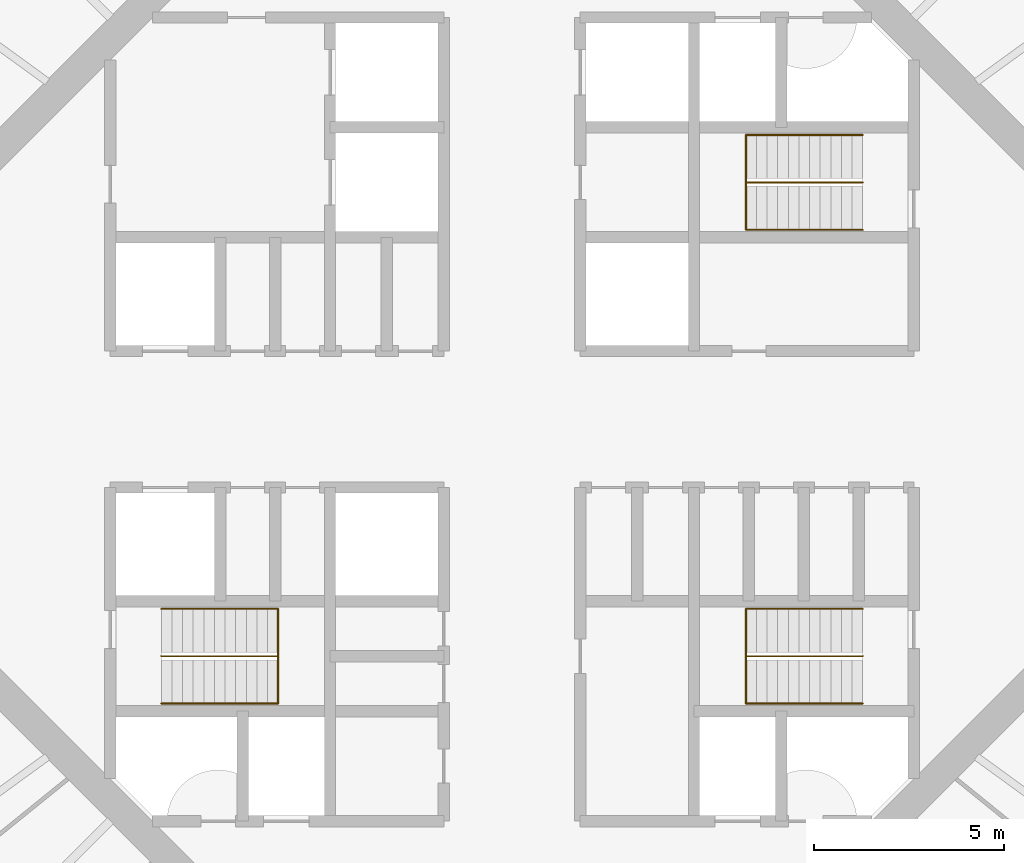
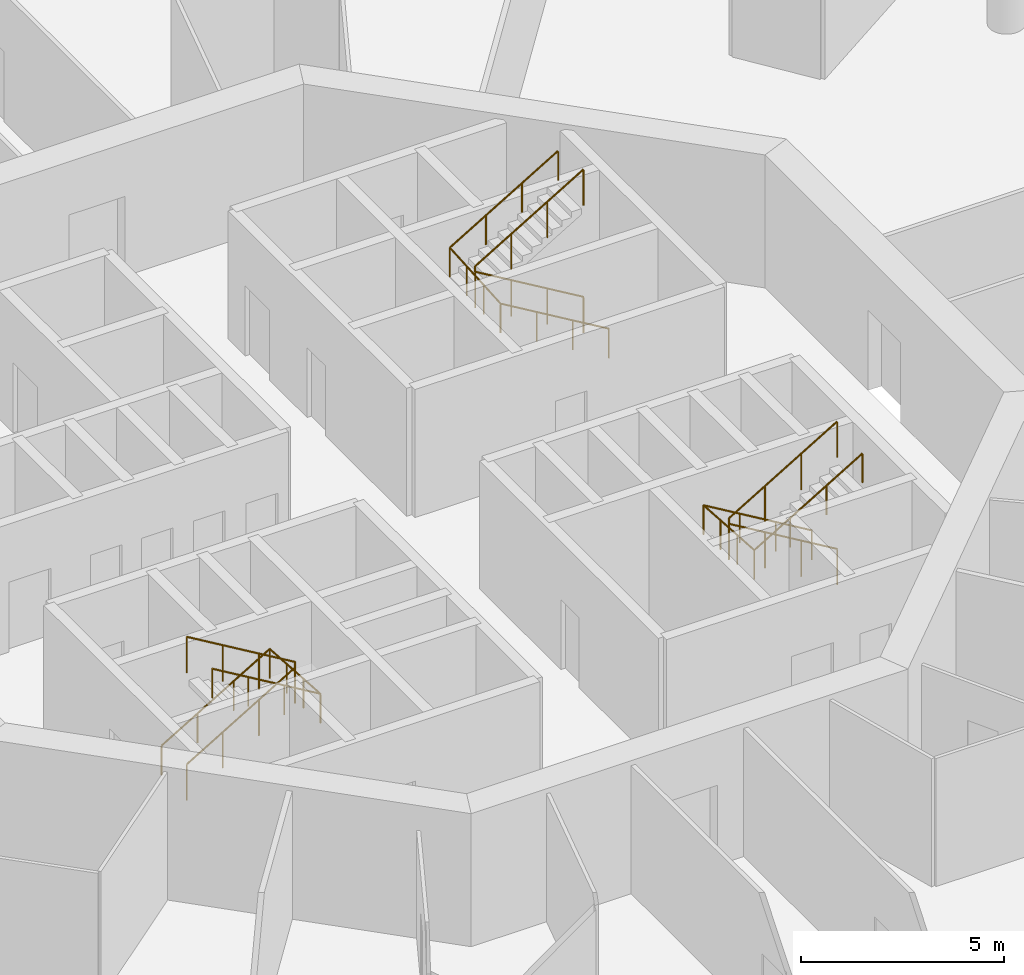
# One storey, part 13 of 13: 6 railings.
"""IFC4 building model written with IfcOpenShell, lengths in metres."""

from ifc_helpers import new_model, si_unit, direction, frame, origin, origin_2d, place, context, subcontext, project, spatial, circle, extrude, material, type_object, element, save


model = new_model("IFC4")

# Units and contexts
model_context = context("Model", 3, precision=1e-05, world=origin(), true_north=direction((0.0, 1.0)))
body_context = subcontext(model_context, "Body", "Model", "MODEL_VIEW")
ifc_project = project(units=[si_unit("LENGTHUNIT", "METRE"), si_unit("AREAUNIT", "SQUARE_METRE"), si_unit("VOLUMEUNIT", "CUBIC_METRE"), si_unit("PLANEANGLEUNIT", "RADIAN"), si_unit("MASSUNIT", "GRAM", prefix="KILO")], contexts=[model_context])

# Site, building, storey
site_placement = place(None, origin())
site = spatial("IfcSite", under=ifc_project, at=site_placement, CompositionType="ELEMENT")
building_placement = place(site_placement, origin())
building = spatial("IfcBuilding", under=site, at=building_placement, Name="Entoto Ring Tower", CompositionType="ELEMENT")
storey_placement = place(building_placement, frame((0.0, 0.0, 290.0)))
storey = spatial("IfcBuildingStorey", under=building, at=storey_placement, Name="L66", CompositionType="ELEMENT", Elevation=290.0)

# Railings
ifc_material_1 = material(Name="Steel S275", Category="steel")
railing_type_1 = type_object("IfcRailingType", Name="Stair guard 1100 mm steel", PredefinedType="GUARDRAIL", material=ifc_material_1)
railing_1_placement = place(storey_placement, frame((99.25, 86.25, 0.166748046875)))
element("IfcRailing", 1, at=railing_1_placement, inside=storey, type_object=railing_type_1, Name="Guard ST1", PredefinedType="GUARDRAIL", context=body_context, shape_type="SweptSolid", body=[
    extrude(circle(Radius=0.02392578125, at=origin_2d()), frame((0.0, 0.0, 1.076171875), z_axis=(-0.859308565015, 0.0, 0.511457515432), x_axis=(0.0, -1.0, 0.0)), (0.0, 0.0, 1.0), 3.58447265625),
    extrude(circle(Radius=0.02392578125, at=origin_2d()), frame((-3.080078125, 0.0, 2.9091796875), z_axis=(0.0, 0.0, 1.0), x_axis=(1.0, 0.0, 0.0)), (0.0, 0.0, 1.0), 0.166748046875),
    extrude(circle(Radius=0.02392578125, at=origin_2d()), frame((-3.080078125, 0.0, 3.076171875), z_axis=(0.859308565015, 0.0, 0.511457515432), x_axis=(0.0, 1.0, 0.0)), (0.0, 0.0, 1.0), 3.58447265625),
    extrude(circle(Radius=0.02099609375, at=origin_2d()), origin(), (0.0, 0.0, 1.0), 1.052001953125),
    extrude(circle(Radius=0.02099609375, at=origin_2d()), frame((-1.026611328125, 0.0, 0.611083984375)), (0.0, 0.0, 1.0), 1.052001953125),
    extrude(circle(Radius=0.02099609375, at=origin_2d()), frame((-2.053466796875, 0.0, 1.22216796875)), (0.0, 0.0, 1.0), 1.052001953125),
    extrude(circle(Radius=0.02099609375, at=origin_2d()), frame((-3.080078125, 0.0, 1.833251953125)), (0.0, 0.0, 1.0), 1.052001953125),
    extrude(circle(Radius=0.02099609375, at=origin_2d()), frame((-3.080078125, 0.0, 2.0)), (0.0, 0.0, 1.0), 1.052001953125),
    extrude(circle(Radius=0.02099609375, at=origin_2d()), frame((-2.053466796875, 0.0, 2.611083984375)), (0.0, 0.0, 1.0), 1.052001953125),
    extrude(circle(Radius=0.02099609375, at=origin_2d()), frame((-1.026611328125, 0.0, 3.22216796875)), (0.0, 0.0, 1.0), 1.052001953125),
    extrude(circle(Radius=0.02099609375, at=origin_2d()), frame((0.0, 0.0, 3.833251953125)), (0.0, 0.0, 1.0), 1.052001953125),
])
railing_2_placement = place(storey_placement, frame((80.75, 73.75, 0.166748046875)))
element("IfcRailing", 2, at=railing_2_placement, inside=storey, type_object=railing_type_1, Name="Guard ST2", PredefinedType="GUARDRAIL", context=body_context, shape_type="SweptSolid", body=[
    extrude(circle(Radius=0.02392578125, at=origin_2d()), frame((0.0, 0.0, 1.076171875), z_axis=(0.859308565015, 0.0, 0.511457515432), x_axis=(0.0, 1.0, 0.0)), (0.0, 0.0, 1.0), 3.58447265625),
    extrude(circle(Radius=0.02392578125, at=origin_2d()), frame((3.080078125, 0.0, 2.9091796875), z_axis=(0.0, 0.0, 1.0), x_axis=(1.0, 0.0, 0.0)), (0.0, 0.0, 1.0), 0.166748046875),
    extrude(circle(Radius=0.02392578125, at=origin_2d()), frame((3.080078125, 0.0, 3.076171875), z_axis=(-0.859308565015, 0.0, 0.511457515432), x_axis=(0.0, -1.0, 0.0)), (0.0, 0.0, 1.0), 3.58447265625),
    extrude(circle(Radius=0.02099609375, at=origin_2d()), origin(), (0.0, 0.0, 1.0), 1.052001953125),
    extrude(circle(Radius=0.02099609375, at=origin_2d()), frame((1.026611328125, 0.0, 0.611083984375)), (0.0, 0.0, 1.0), 1.052001953125),
    extrude(circle(Radius=0.02099609375, at=origin_2d()), frame((2.053466796875, 0.0, 1.22216796875)), (0.0, 0.0, 1.0), 1.052001953125),
    extrude(circle(Radius=0.02099609375, at=origin_2d()), frame((3.080078125, 0.0, 1.833251953125)), (0.0, 0.0, 1.0), 1.052001953125),
    extrude(circle(Radius=0.02099609375, at=origin_2d()), frame((3.080078125, 0.0, 2.0)), (0.0, 0.0, 1.0), 1.052001953125),
    extrude(circle(Radius=0.02099609375, at=origin_2d()), frame((2.053466796875, 0.0, 2.611083984375)), (0.0, 0.0, 1.0), 1.052001953125),
    extrude(circle(Radius=0.02099609375, at=origin_2d()), frame((1.026611328125, 0.0, 3.22216796875)), (0.0, 0.0, 1.0), 1.052001953125),
    extrude(circle(Radius=0.02099609375, at=origin_2d()), frame((0.0, 0.0, 3.833251953125)), (0.0, 0.0, 1.0), 1.052001953125),
])
railing_3_placement = place(storey_placement, frame((99.25, 73.75, 0.166748046875)))
element("IfcRailing", 3, at=railing_3_placement, inside=storey, type_object=railing_type_1, Name="Guard ST3", PredefinedType="GUARDRAIL", context=body_context, shape_type="SweptSolid", body=[
    extrude(circle(Radius=0.02392578125, at=origin_2d()), frame((0.0, 0.0, 1.076171875), z_axis=(-0.859308565015, 0.0, 0.511457515432), x_axis=(0.0, -1.0, 0.0)), (0.0, 0.0, 1.0), 3.58447265625),
    extrude(circle(Radius=0.02392578125, at=origin_2d()), frame((-3.080078125, 0.0, 2.9091796875), z_axis=(0.0, 0.0, 1.0), x_axis=(1.0, 0.0, 0.0)), (0.0, 0.0, 1.0), 0.166748046875),
    extrude(circle(Radius=0.02392578125, at=origin_2d()), frame((-3.080078125, 0.0, 3.076171875), z_axis=(0.859308565015, 0.0, 0.511457515432), x_axis=(0.0, 1.0, 0.0)), (0.0, 0.0, 1.0), 3.58447265625),
    extrude(circle(Radius=0.02099609375, at=origin_2d()), origin(), (0.0, 0.0, 1.0), 1.052001953125),
    extrude(circle(Radius=0.02099609375, at=origin_2d()), frame((-1.026611328125, 0.0, 0.611083984375)), (0.0, 0.0, 1.0), 1.052001953125),
    extrude(circle(Radius=0.02099609375, at=origin_2d()), frame((-2.053466796875, 0.0, 1.22216796875)), (0.0, 0.0, 1.0), 1.052001953125),
    extrude(circle(Radius=0.02099609375, at=origin_2d()), frame((-3.080078125, 0.0, 1.833251953125)), (0.0, 0.0, 1.0), 1.052001953125),
    extrude(circle(Radius=0.02099609375, at=origin_2d()), frame((-3.080078125, 0.0, 2.0)), (0.0, 0.0, 1.0), 1.052001953125),
    extrude(circle(Radius=0.02099609375, at=origin_2d()), frame((-2.053466796875, 0.0, 2.611083984375)), (0.0, 0.0, 1.0), 1.052001953125),
    extrude(circle(Radius=0.02099609375, at=origin_2d()), frame((-1.026611328125, 0.0, 3.22216796875)), (0.0, 0.0, 1.0), 1.052001953125),
    extrude(circle(Radius=0.02099609375, at=origin_2d()), frame((0.0, 0.0, 3.833251953125)), (0.0, 0.0, 1.0), 1.052001953125),
])
ifc_material_2 = material(Name="Steel S275", Category="steel")
railing_type_2 = type_object("IfcRailingType", Name="Stair handrail 900 mm steel", PredefinedType="HANDRAIL", material=ifc_material_2)
railing_4_placement = place(storey_placement, frame((99.25, 85.0, 0.166748046875)))
element("IfcRailing", 4, at=railing_4_placement, inside=storey, type_object=railing_type_2, Name="Handrail ST1", PredefinedType="HANDRAIL", context=body_context, shape_type="SweptSolid", body=[
    extrude(circle(Radius=0.02392578125, at=origin_2d()), frame((0.0, 0.0, 0.8759765625), z_axis=(-0.859308565015, 0.0, 0.511457515432), x_axis=(0.0, -1.0, 0.0)), (0.0, 0.0, 1.0), 3.58447265625),
    extrude(circle(Radius=0.02392578125, at=origin_2d()), frame((-3.080078125, 0.0, 2.708984375), z_axis=(0.0, 0.997783001586, 0.066551346688), x_axis=(-1.0, 0.0, 0.0)), (0.0, 0.0, 1.0), 2.505615234375),
    extrude(circle(Radius=0.02392578125, at=origin_2d()), frame((-3.080078125, 2.5, 2.8759765625), z_axis=(0.859308565015, 0.0, 0.511457515432), x_axis=(0.0, 1.0, 0.0)), (0.0, 0.0, 1.0), 3.58447265625),
    extrude(circle(Radius=0.02099609375, at=origin_2d()), origin(), (0.0, 0.0, 1.0), 0.851806640625),
    extrude(circle(Radius=0.02099609375, at=origin_2d()), frame((-1.026611328125, 0.0, 0.611083984375)), (0.0, 0.0, 1.0), 0.851806640625),
    extrude(circle(Radius=0.02099609375, at=origin_2d()), frame((-2.053466796875, 0.0, 1.22216796875)), (0.0, 0.0, 1.0), 0.851806640625),
    extrude(circle(Radius=0.02099609375, at=origin_2d()), frame((-3.080078125, 0.0, 1.833251953125)), (0.0, 0.0, 1.0), 0.851806640625),
    extrude(circle(Radius=0.02099609375, at=origin_2d()), frame((-3.080078125, 0.833251953125, 1.888916015625)), (0.0, 0.0, 1.0), 0.851806640625),
    extrude(circle(Radius=0.02099609375, at=origin_2d()), frame((-3.080078125, 1.666748046875, 1.9443359375)), (0.0, 0.0, 1.0), 0.851806640625),
    extrude(circle(Radius=0.02099609375, at=origin_2d()), frame((-3.080078125, 2.5, 2.0)), (0.0, 0.0, 1.0), 0.851806640625),
    extrude(circle(Radius=0.02099609375, at=origin_2d()), frame((-2.053466796875, 2.5, 2.611083984375)), (0.0, 0.0, 1.0), 0.851806640625),
    extrude(circle(Radius=0.02099609375, at=origin_2d()), frame((-1.026611328125, 2.5, 3.22216796875)), (0.0, 0.0, 1.0), 0.851806640625),
    extrude(circle(Radius=0.02099609375, at=origin_2d()), frame((0.0, 2.5, 3.833251953125)), (0.0, 0.0, 1.0), 0.851806640625),
])
railing_5_placement = place(storey_placement, frame((80.75, 75.0, 0.166748046875)))
element("IfcRailing", 5, at=railing_5_placement, inside=storey, type_object=railing_type_2, Name="Handrail ST2", PredefinedType="HANDRAIL", context=body_context, shape_type="SweptSolid", body=[
    extrude(circle(Radius=0.02392578125, at=origin_2d()), frame((0.0, 0.0, 0.8759765625), z_axis=(0.859308565015, 0.0, 0.511457515432), x_axis=(0.0, 1.0, 0.0)), (0.0, 0.0, 1.0), 3.58447265625),
    extrude(circle(Radius=0.02392578125, at=origin_2d()), frame((3.080078125, 0.0, 2.708984375), z_axis=(0.0, -0.997783001586, 0.066551346688), x_axis=(1.0, 0.0, 0.0)), (0.0, 0.0, 1.0), 2.505615234375),
    extrude(circle(Radius=0.02392578125, at=origin_2d()), frame((3.080078125, -2.5, 2.8759765625), z_axis=(-0.859308565015, 0.0, 0.511457515432), x_axis=(0.0, -1.0, 0.0)), (0.0, 0.0, 1.0), 3.58447265625),
    extrude(circle(Radius=0.02099609375, at=origin_2d()), origin(), (0.0, 0.0, 1.0), 0.851806640625),
    extrude(circle(Radius=0.02099609375, at=origin_2d()), frame((1.026611328125, 0.0, 0.611083984375)), (0.0, 0.0, 1.0), 0.851806640625),
    extrude(circle(Radius=0.02099609375, at=origin_2d()), frame((2.053466796875, 0.0, 1.22216796875)), (0.0, 0.0, 1.0), 0.851806640625),
    extrude(circle(Radius=0.02099609375, at=origin_2d()), frame((3.080078125, 0.0, 1.833251953125)), (0.0, 0.0, 1.0), 0.851806640625),
    extrude(circle(Radius=0.02099609375, at=origin_2d()), frame((3.080078125, -0.833251953125, 1.888916015625)), (0.0, 0.0, 1.0), 0.851806640625),
    extrude(circle(Radius=0.02099609375, at=origin_2d()), frame((3.080078125, -1.666748046875, 1.9443359375)), (0.0, 0.0, 1.0), 0.851806640625),
    extrude(circle(Radius=0.02099609375, at=origin_2d()), frame((3.080078125, -2.5, 2.0)), (0.0, 0.0, 1.0), 0.851806640625),
    extrude(circle(Radius=0.02099609375, at=origin_2d()), frame((2.053466796875, -2.5, 2.611083984375)), (0.0, 0.0, 1.0), 0.851806640625),
    extrude(circle(Radius=0.02099609375, at=origin_2d()), frame((1.026611328125, -2.5, 3.22216796875)), (0.0, 0.0, 1.0), 0.851806640625),
    extrude(circle(Radius=0.02099609375, at=origin_2d()), frame((0.0, -2.5, 3.833251953125)), (0.0, 0.0, 1.0), 0.851806640625),
])
railing_6_placement = place(storey_placement, frame((99.25, 75.0, 0.166748046875)))
element("IfcRailing", 6, at=railing_6_placement, inside=storey, type_object=railing_type_2, Name="Handrail ST3", PredefinedType="HANDRAIL", context=body_context, shape_type="SweptSolid", body=[
    extrude(circle(Radius=0.02392578125, at=origin_2d()), frame((0.0, 0.0, 0.8759765625), z_axis=(-0.859308565015, 0.0, 0.511457515432), x_axis=(0.0, -1.0, 0.0)), (0.0, 0.0, 1.0), 3.58447265625),
    extrude(circle(Radius=0.02392578125, at=origin_2d()), frame((-3.080078125, 0.0, 2.708984375), z_axis=(0.0, -0.997783001586, 0.066551346688), x_axis=(1.0, 0.0, 0.0)), (0.0, 0.0, 1.0), 2.505615234375),
    extrude(circle(Radius=0.02392578125, at=origin_2d()), frame((-3.080078125, -2.5, 2.8759765625), z_axis=(0.859308565015, 0.0, 0.511457515432), x_axis=(0.0, 1.0, 0.0)), (0.0, 0.0, 1.0), 3.58447265625),
    extrude(circle(Radius=0.02099609375, at=origin_2d()), origin(), (0.0, 0.0, 1.0), 0.851806640625),
    extrude(circle(Radius=0.02099609375, at=origin_2d()), frame((-1.026611328125, 0.0, 0.611083984375)), (0.0, 0.0, 1.0), 0.851806640625),
    extrude(circle(Radius=0.02099609375, at=origin_2d()), frame((-2.053466796875, 0.0, 1.22216796875)), (0.0, 0.0, 1.0), 0.851806640625),
    extrude(circle(Radius=0.02099609375, at=origin_2d()), frame((-3.080078125, 0.0, 1.833251953125)), (0.0, 0.0, 1.0), 0.851806640625),
    extrude(circle(Radius=0.02099609375, at=origin_2d()), frame((-3.080078125, -0.833251953125, 1.888916015625)), (0.0, 0.0, 1.0), 0.851806640625),
    extrude(circle(Radius=0.02099609375, at=origin_2d()), frame((-3.080078125, -1.666748046875, 1.9443359375)), (0.0, 0.0, 1.0), 0.851806640625),
    extrude(circle(Radius=0.02099609375, at=origin_2d()), frame((-3.080078125, -2.5, 2.0)), (0.0, 0.0, 1.0), 0.851806640625),
    extrude(circle(Radius=0.02099609375, at=origin_2d()), frame((-2.053466796875, -2.5, 2.611083984375)), (0.0, 0.0, 1.0), 0.851806640625),
    extrude(circle(Radius=0.02099609375, at=origin_2d()), frame((-1.026611328125, -2.5, 3.22216796875)), (0.0, 0.0, 1.0), 0.851806640625),
    extrude(circle(Radius=0.02099609375, at=origin_2d()), frame((0.0, -2.5, 3.833251953125)), (0.0, 0.0, 1.0), 0.851806640625),
])

save(model, "model.ifc")
